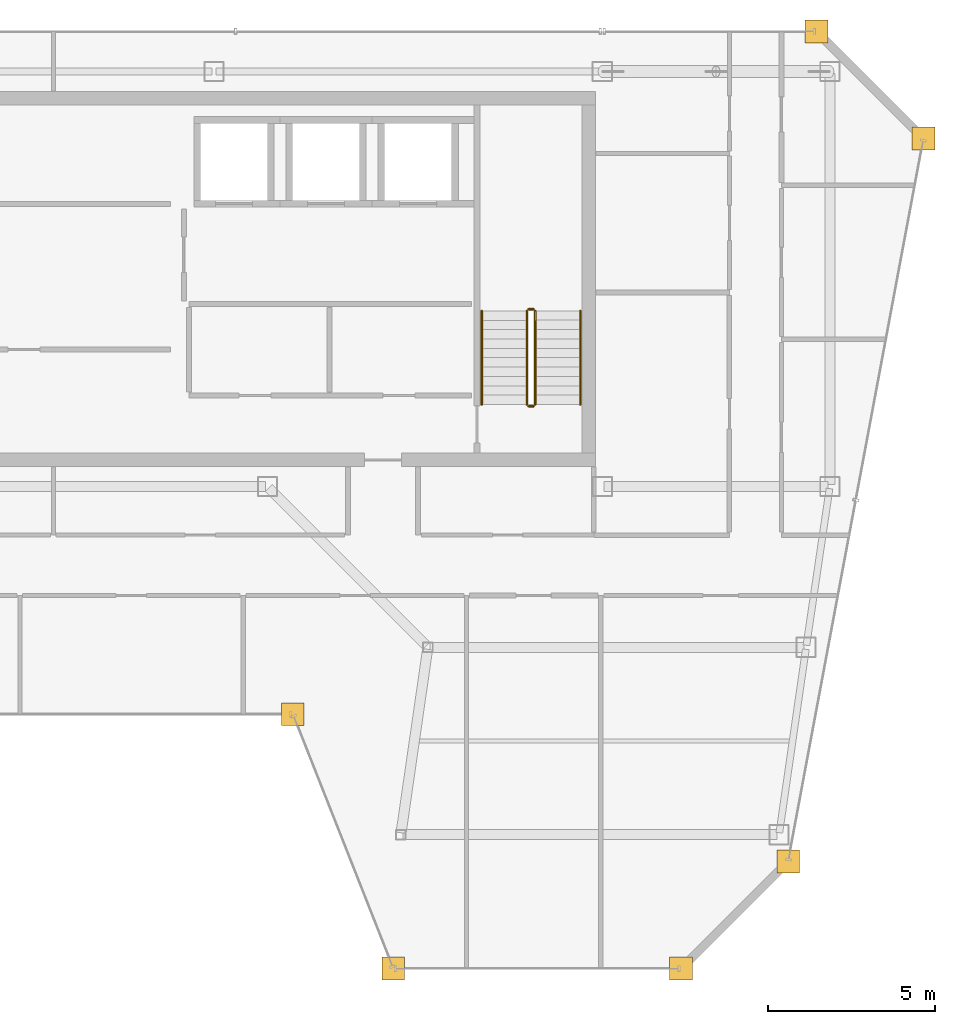
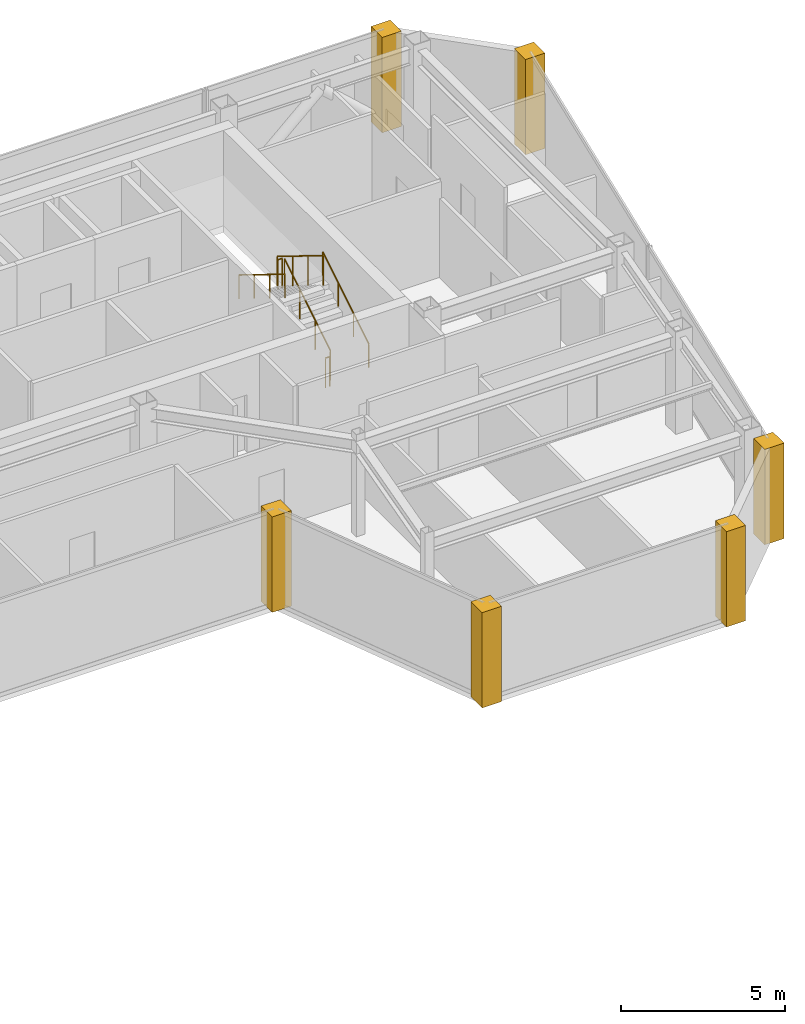
# One storey, part 23 of 23: 6 coverings, 6 railings.
"""IFC4 building model written with IfcOpenShell, lengths in metres."""

from ifc_helpers import new_model, si_unit, direction, frame, origin, origin_2d, place, context, subcontext, project, spatial, polyline, circle, outline, extrude, material, layer, layer_set, type_object, element, save


model = new_model("IFC4")

# Units and contexts
model_context = context("Model", 3, precision=1e-05, world=origin(), true_north=direction((0.0, 1.0)))
body_context = subcontext(model_context, "Body", "Model", "MODEL_VIEW")
ifc_project = project(units=[si_unit("LENGTHUNIT", "METRE"), si_unit("AREAUNIT", "SQUARE_METRE"), si_unit("VOLUMEUNIT", "CUBIC_METRE"), si_unit("PLANEANGLEUNIT", "RADIAN"), si_unit("MASSUNIT", "GRAM", prefix="KILO")], contexts=[model_context])

# Site, building, storey
site_placement = place(None, origin())
site = spatial("IfcSite", under=ifc_project, at=site_placement, CompositionType="ELEMENT")
building_placement = place(site_placement, origin())
building = spatial("IfcBuilding", under=site, at=building_placement, Name="Saevonmaru Cultural Tower", CompositionType="ELEMENT")
storey_placement = place(building_placement, frame((0.0, 0.0, 280.0)))
storey = spatial("IfcBuildingStorey", under=building, at=storey_placement, Name="L66", CompositionType="ELEMENT", Elevation=280.0)

# Coverings
ifc_material_1 = material(Name="Satin Bronze Anodised Aluminium", Category="aluminium")
ifc_layer = layer(ifc_material_1, 0.679931640625, Name="Satin Bronze Anodised Aluminium")
ifc_layer_set = layer_set([ifc_layer], Name="Satin Bronze Anodised Aluminium")
covering_type = type_object("IfcCoveringType", Name="CV-CORNER-CLAD", PredefinedType="CLADDING", material=ifc_layer_set)
covering_1_placement = place(storey_placement, origin())
element("IfcCovering", 1, at=covering_1_placement, inside=storey, type_object=covering_type, Name="L66 Tower Bronze Corner Cladding Pier 5", PredefinedType="CLADDING", context=body_context, shape_type="SweptSolid", body=[
    extrude(outline(polyline([(36.81591796875, 35.260009765625), (37.49609375, 35.260009765625), (37.49609375, 35.93994140625), (36.81591796875, 35.93994140625), (36.81591796875, 35.260009765625)])), origin(), (0.0, 0.0, 1.0), 3.550048828125),
])
covering_2_placement = place(storey_placement, origin())
element("IfcCovering", 2, at=covering_2_placement, inside=storey, type_object=covering_type, Name="L66 Tower Bronze Corner Cladding Pier 6", PredefinedType="CLADDING", context=body_context, shape_type="SweptSolid", body=[
    extrude(outline(polyline([(39.81591796875, 27.659912109375), (40.49609375, 27.659912109375), (40.49609375, 28.340087890625), (39.81591796875, 28.340087890625), (39.81591796875, 27.659912109375)])), origin(), (0.0, 0.0, 1.0), 3.550048828125),
])
covering_3_placement = place(storey_placement, origin())
element("IfcCovering", 3, at=covering_3_placement, inside=storey, type_object=covering_type, Name="L66 Tower Bronze Corner Cladding Pier 7", PredefinedType="CLADDING", context=body_context, shape_type="SweptSolid", body=[
    extrude(outline(polyline([(48.416015625, 27.659912109375), (49.095947265625, 27.659912109375), (49.095947265625, 28.340087890625), (48.416015625, 28.340087890625), (48.416015625, 27.659912109375)])), origin(), (0.0, 0.0, 1.0), 3.550048828125),
])
covering_4_placement = place(storey_placement, origin())
element("IfcCovering", 4, at=covering_4_placement, inside=storey, type_object=covering_type, Name="L66 Tower Bronze Corner Cladding Pier 8", PredefinedType="CLADDING", context=body_context, shape_type="SweptSolid", body=[
    extrude(outline(polyline([(51.615966796875, 30.860107421875), (52.2958984375, 30.860107421875), (52.2958984375, 31.5400390625), (51.615966796875, 31.5400390625), (51.615966796875, 30.860107421875)])), origin(), (0.0, 0.0, 1.0), 3.550048828125),
])
covering_5_placement = place(storey_placement, origin())
element("IfcCovering", 5, at=covering_5_placement, inside=storey, type_object=covering_type, Name="L66 Tower Bronze Corner Cladding Pier 9", PredefinedType="CLADDING", context=body_context, shape_type="SweptSolid", body=[
    extrude(outline(polyline([(55.659912109375, 52.4599609375), (56.340087890625, 52.4599609375), (56.340087890625, 53.139892578125), (55.659912109375, 53.139892578125), (55.659912109375, 52.4599609375)])), origin(), (0.0, 0.0, 1.0), 3.550048828125),
])
covering_6_placement = place(storey_placement, origin())
element("IfcCovering", 6, at=covering_6_placement, inside=storey, type_object=covering_type, Name="L66 Tower Bronze Corner Cladding Pier 10", PredefinedType="CLADDING", context=body_context, shape_type="SweptSolid", body=[
    extrude(outline(polyline([(52.4599609375, 55.659912109375), (53.139892578125, 55.659912109375), (53.139892578125, 56.340087890625), (52.4599609375, 56.340087890625), (52.4599609375, 55.659912109375)])), origin(), (0.0, 0.0, 1.0), 3.550048828125),
])

# Railings
ifc_material_2 = material(Name="Architectural Painted Steel", Category="steel")
railing_type_1 = type_object("IfcRailingType", Name="RL-STAIR-GUARD", PredefinedType="GUARDRAIL", material=ifc_material_2)
railing_1_placement = place(storey_placement, frame((44.39990234375, 44.85009765625, 0.172607421875)))
element("IfcRailing", 7, at=railing_1_placement, inside=storey, type_object=railing_type_1, Name="L66 ST-2 stair guard 1", PredefinedType="GUARDRAIL", context=body_context, shape_type="SweptSolid", body=[
    extrude(circle(Radius=0.02392578125, at=origin_2d()), frame((0.0, 0.0, 1.09619140625), z_axis=(0.0, 0.851069175582, 0.525053576669), x_axis=(-1.0, 0.0, 0.0)), (0.0, 0.0, 1.0), 3.289794921875),
    extrude(circle(Radius=0.02099609375, at=origin_2d()), origin(), (0.0, 0.0, 1.0), 1.072021484375),
    extrude(circle(Radius=0.02099609375, at=origin_2d()), frame((0.0, 0.933349609375, 0.57568359375)), (0.0, 0.0, 1.0), 1.072021484375),
    extrude(circle(Radius=0.02099609375, at=origin_2d()), frame((0.0, 1.866455078125, 1.151611328125)), (0.0, 0.0, 1.0), 1.072021484375),
    extrude(circle(Radius=0.02099609375, at=origin_2d()), frame((0.0, 2.7998046875, 1.727294921875)), (0.0, 0.0, 1.0), 1.072021484375),
])
railing_2_placement = place(storey_placement, frame((44.35009765625, 47.699951171875, 1.89990234375)))
element("IfcRailing", 8, at=railing_2_placement, inside=storey, type_object=railing_type_1, Name="L66 ST-2 stair guard 2", PredefinedType="GUARDRAIL", context=body_context, shape_type="SweptSolid", body=[
    extrude(circle(Radius=0.02392578125, at=origin_2d()), frame((0.0, 0.0, 1.09619140625), z_axis=(-1.0, 0.0, 0.0), x_axis=(0.0, -1.0, 0.0)), (0.0, 0.0, 1.0), 0.150146484375),
    extrude(circle(Radius=0.02099609375, at=origin_2d()), origin(), (0.0, 0.0, 1.0), 1.072021484375),
    extrude(circle(Radius=0.02099609375, at=origin_2d()), frame((-0.150146484375, 0.0, 0.0)), (0.0, 0.0, 1.0), 1.072021484375),
])
railing_3_placement = place(storey_placement, frame((44.14990234375, 47.64990234375, 2.07275390625)))
element("IfcRailing", 9, at=railing_3_placement, inside=storey, type_object=railing_type_1, Name="L66 ST-2 stair guard 3", PredefinedType="GUARDRAIL", context=body_context, shape_type="SweptSolid", body=[
    extrude(circle(Radius=0.02392578125, at=origin_2d()), frame((0.0, 0.0, 1.09619140625), z_axis=(0.0, -0.851069175582, 0.525053576669), x_axis=(1.0, 0.0, 0.0)), (0.0, 0.0, 1.0), 3.289794921875),
    extrude(circle(Radius=0.02099609375, at=origin_2d()), origin(), (0.0, 0.0, 1.0), 1.072021484375),
    extrude(circle(Radius=0.02099609375, at=origin_2d()), frame((0.0, -0.933349609375, 0.57568359375)), (0.0, 0.0, 1.0), 1.072021484375),
    extrude(circle(Radius=0.02099609375, at=origin_2d()), frame((0.0, -1.866455078125, 1.151611328125)), (0.0, 0.0, 1.0), 1.072021484375),
    extrude(circle(Radius=0.02099609375, at=origin_2d()), frame((0.0, -2.7998046875, 1.727294921875)), (0.0, 0.0, 1.0), 1.072021484375),
])
railing_4_placement = place(storey_placement, frame((44.35009765625, 44.800048828125, 0.0)))
element("IfcRailing", 10, at=railing_4_placement, inside=storey, type_object=railing_type_1, Name="L66 ST-2 stair guard 4", PredefinedType="GUARDRAIL", context=body_context, shape_type="SweptSolid", body=[
    extrude(circle(Radius=0.02392578125, at=origin_2d()), frame((0.0, 0.0, 1.09619140625), z_axis=(-1.0, 0.0, 0.0), x_axis=(0.0, -1.0, 0.0)), (0.0, 0.0, 1.0), 0.150146484375),
    extrude(circle(Radius=0.02099609375, at=origin_2d()), origin(), (0.0, 0.0, 1.0), 1.072021484375),
    extrude(circle(Radius=0.02099609375, at=origin_2d()), frame((-0.150146484375, 0.0, 0.0)), (0.0, 0.0, 1.0), 1.072021484375),
])
railing_type_2 = type_object("IfcRailingType", Name="RL-STAIR-HANDRAIL", PredefinedType="HANDRAIL", material=ifc_material_1)
railing_5_placement = place(storey_placement, frame((45.75, 44.85009765625, 0.172607421875)))
element("IfcRailing", 11, at=railing_5_placement, inside=storey, type_object=railing_type_2, Name="L66 ST-2 stair handrail 1", PredefinedType="HANDRAIL", context=body_context, shape_type="SweptSolid", body=[
    extrude(circle(Radius=0.02392578125, at=origin_2d()), frame((0.0, 0.0, 0.8759765625), z_axis=(0.0, 0.851069175582, 0.525053576669), x_axis=(-1.0, 0.0, 0.0)), (0.0, 0.0, 1.0), 3.289794921875),
    extrude(circle(Radius=0.02099609375, at=origin_2d()), origin(), (0.0, 0.0, 1.0), 0.851806640625),
    extrude(circle(Radius=0.02099609375, at=origin_2d()), frame((0.0, 0.933349609375, 0.57568359375)), (0.0, 0.0, 1.0), 0.851806640625),
    extrude(circle(Radius=0.02099609375, at=origin_2d()), frame((0.0, 1.866455078125, 1.151611328125)), (0.0, 0.0, 1.0), 0.851806640625),
    extrude(circle(Radius=0.02099609375, at=origin_2d()), frame((0.0, 2.7998046875, 1.727294921875)), (0.0, 0.0, 1.0), 0.851806640625),
])
railing_6_placement = place(storey_placement, frame((42.800048828125, 47.64990234375, 2.07275390625)))
element("IfcRailing", 12, at=railing_6_placement, inside=storey, type_object=railing_type_2, Name="L66 ST-2 stair handrail 2", PredefinedType="HANDRAIL", context=body_context, shape_type="SweptSolid", body=[
    extrude(circle(Radius=0.02392578125, at=origin_2d()), frame((0.0, 0.0, 0.8759765625), z_axis=(0.0, -0.851069175582, 0.525053576669), x_axis=(1.0, 0.0, 0.0)), (0.0, 0.0, 1.0), 3.289794921875),
    extrude(circle(Radius=0.02099609375, at=origin_2d()), origin(), (0.0, 0.0, 1.0), 0.851806640625),
    extrude(circle(Radius=0.02099609375, at=origin_2d()), frame((0.0, -0.933349609375, 0.57568359375)), (0.0, 0.0, 1.0), 0.851806640625),
    extrude(circle(Radius=0.02099609375, at=origin_2d()), frame((0.0, -1.866455078125, 1.151611328125)), (0.0, 0.0, 1.0), 0.851806640625),
    extrude(circle(Radius=0.02099609375, at=origin_2d()), frame((0.0, -2.7998046875, 1.727294921875)), (0.0, 0.0, 1.0), 0.851806640625),
])

save(model, "model.ifc")
